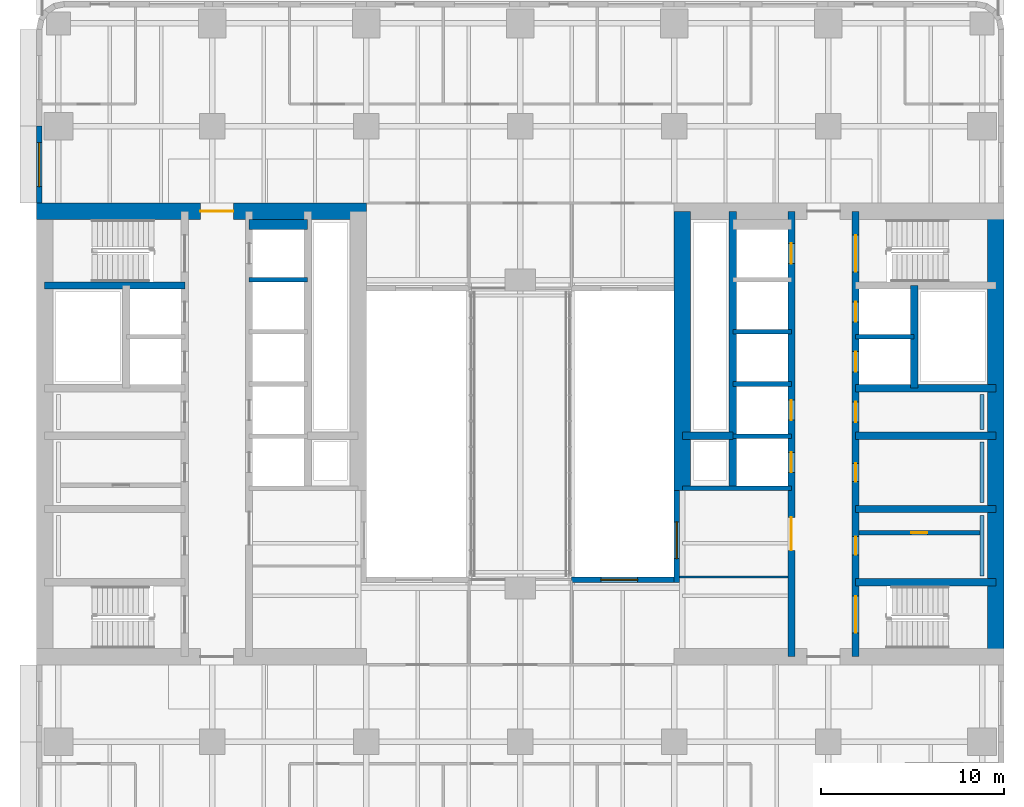
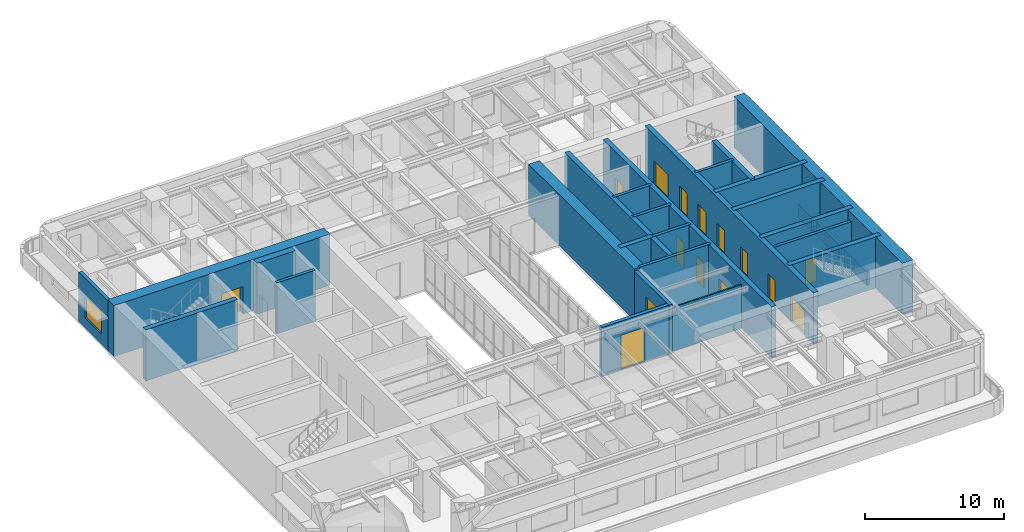
# One storey, part 10 of 17: 28 walls, 13 doors, 3 windows, 16 openings.
"""IFC4 building model written with IfcOpenShell, lengths in metres."""

from ifc_helpers import new_model, si_unit, direction, frame, frame_2d, origin, place, context, subcontext, project, spatial, rectangle, extrude, material, layer, layer_set, type_object, element, fill, save


model = new_model("IFC4")

# Units and contexts
model_context = context("Model", 3, precision=1e-05, world=origin(), true_north=direction((0.0, 1.0)))
body_context = subcontext(model_context, "Body", "Model", "MODEL_VIEW")
ifc_project = project(units=[si_unit("LENGTHUNIT", "METRE"), si_unit("AREAUNIT", "SQUARE_METRE"), si_unit("VOLUMEUNIT", "CUBIC_METRE"), si_unit("PLANEANGLEUNIT", "RADIAN"), si_unit("MASSUNIT", "GRAM", prefix="KILO")], contexts=[model_context])

# Site, building, storey
site_placement = place(None, origin())
site = spatial("IfcSite", under=ifc_project, at=site_placement, CompositionType="ELEMENT")
building_placement = place(site_placement, origin())
building = spatial("IfcBuilding", under=site, at=building_placement, Name="Claustro Exchange Tower", CompositionType="ELEMENT")
storey_placement = place(building_placement, frame((0.0, 0.0, 96.300048828125)))
storey = spatial("IfcBuildingStorey", under=building, at=storey_placement, Name="L21", CompositionType="ELEMENT", Elevation=96.300048828125)

# Wall
ifc_material_1 = material(Name="Laminated glass in aluminium frame", Category="aluminium")
ifc_layer_1 = layer(ifc_material_1, 0.1201171875)
ifc_layer_set_1 = layer_set([ifc_layer_1], Name="Laminated glass in aluminium frame")
wall_type_1 = type_object("IfcWallType", Name="P2 120 glazed partition", PredefinedType="PARTITIONING", material=ifc_layer_set_1)
wall_1_placement = place(storey_placement, frame((33.89794921875, 17.39990234375, 0.0), z_axis=(0.0, 0.0, 1.0), x_axis=(1.0, 0.0, 0.0)))
element("IfcWall", 1, at=wall_1_placement, inside=storey, type_object=wall_type_1, Name="Partition P2 L21", PredefinedType="PARTITIONING", context=body_context, shape_type="SweptSolid", body=[
    extrude(rectangle(XDim=5.904052734375, YDim=0.1201171875, at=frame_2d((2.9521484375, 0.0))), origin(), (0.0, 0.0, 1.0), 3.849853515625),
])

# Wall, opening, door
ifc_material_2 = material(Name="Concrete blockwork, rendered", Category="masonry")
ifc_layer_2 = layer(ifc_material_2, 0.25)
ifc_layer_set_2 = layer_set([ifc_layer_2], Name="Concrete blockwork, rendered")
wall_type_2 = type_object("IfcWallType", Name="P4 250 blockwork wall", PredefinedType="PARTITIONING", material=ifc_layer_set_2)
wall_2_placement = place(storey_placement, frame((43.699951171875, 19.800048828125, 0.0), z_axis=(0.0, 0.0, 1.0), x_axis=(1.0, 0.0, 0.0)))
wall_2 = element("IfcWall", 2, at=wall_2_placement, inside=storey, type_object=wall_type_2, Name="Partition P4 L21", PredefinedType="PARTITIONING", context=body_context, shape_type="SweptSolid", body=[
    extrude(rectangle(XDim=6.60009765625, YDim=0.25, at=frame_2d((3.300048828125, 0.0))), origin(), (0.0, 0.0, 1.0), 4.300048828125),
])
opening_1_placement = place(wall_2_placement, frame((2.824951171875, 0.0, 0.0)))
opening_1 = element("IfcOpeningElement", 3, at=opening_1_placement, cuts=wall_2, Name="Opening D5", PredefinedType="OPENING", context=body_context, shape_type="SweptSolid", body=[
    extrude(rectangle(XDim=0.89990234375, YDim=2.199951171875, at=frame_2d((0.449951171875, 1.10009765625))), frame((0.0, 0.135009765625, 0.0), z_axis=(0.0, -1.0, 0.0), x_axis=(1.0, 0.0, 0.0)), (0.0, 0.0, 1.0), 0.27001953125),
])
ifc_material_3 = material(Name="Steel door, painted", Category="steel")
door_type_1 = type_object("IfcDoorType", Name="D5 900 x 2200 store door", OperationType="SINGLE_SWING_LEFT", PredefinedType="DOOR", material=ifc_material_3)
door_1_placement = place(opening_1_placement, origin())
door_1 = element("IfcDoor", 4, at=door_1_placement, inside=storey, type_object=door_type_1, Name="Store door D5 L21", OperationType="SINGLE_SWING_RIGHT", OverallHeight=2.199951171875, OverallWidth=0.89990234375, PredefinedType="DOOR", context=body_context, shape_type="SweptSolid", body=[
    extrude(rectangle(XDim=0.89990234375, YDim=2.199951171875, at=frame_2d((0.449951171875, 1.10009765625))), frame((0.0, 0.02490234375, 0.0), z_axis=(0.0, -1.0, 0.0), x_axis=(1.0, 0.0, 0.0)), (0.0, 0.0, 1.0), 0.050048828125),
])
fill(opening_1, door_1)

# Wall, opening, window
ifc_material_4 = material(Name="Concrete HA-40 (C40/50), precast, white cement, acid-etched", Category="concrete")
ifc_layer_3 = layer(ifc_material_4, 0.300048828125)
ifc_layer_set_3 = layer_set([ifc_layer_3], Name="Concrete HA-40 (C40/50), precast, white cement, acid-etched")
wall_type_3 = type_object("IfcWallType", Name="PC1 300 precast concrete pier panel", PredefinedType="SOLIDWALL", material=ifc_layer_set_3)
wall_3_placement = place(storey_placement, frame((-1.050048828125, 37.800048828125, 0.0), z_axis=(0.0, 0.0, 1.0), x_axis=(0.0, 1.0, 0.0)))
wall_3 = element("IfcWall", 5, at=wall_3_placement, inside=storey, type_object=wall_type_3, Name="Precast pier panel PC1 L21", PredefinedType="SOLIDWALL", context=body_context, shape_type="SweptSolid", body=[
    extrude(rectangle(XDim=4.199951171875, YDim=0.300048828125, at=frame_2d((2.10009765625, 0.0))), origin(), (0.0, 0.0, 1.0), 4.349853515625),
])
opening_2_placement = place(wall_3_placement, frame((0.89990234375, 0.0, 0.89990234375)))
opening_2 = element("IfcOpeningElement", 6, at=opening_2_placement, cuts=wall_3, Name="Opening W2", PredefinedType="OPENING", context=body_context, shape_type="SweptSolid", body=[
    extrude(rectangle(XDim=2.39990234375, YDim=1.89990234375, at=frame_2d((1.199951171875, 0.949951171875))), frame((0.0, 0.159912109375, 0.0), z_axis=(0.0, -1.0, 0.0), x_axis=(1.0, 0.0, 0.0)), (0.0, 0.0, 1.0), 0.320068359375),
])
ifc_material_5 = material(Name="Aluminium frame, clear double glazing", Category="aluminium")
window_type_1 = type_object("IfcWindowType", Name="W2 2400 x 1900 window", PartitioningType="SINGLE_PANEL", PredefinedType="WINDOW", material=ifc_material_5)
window_1_placement = place(opening_2_placement, origin())
window_1 = element("IfcWindow", 7, at=window_1_placement, inside=storey, type_object=window_type_1, Name="Window W2 L21", OverallHeight=1.89990234375, OverallWidth=2.39990234375, PartitioningType="SINGLE_PANEL", PredefinedType="WINDOW", context=body_context, shape_type="SweptSolid", body=[
    extrude(rectangle(XDim=2.39990234375, YDim=1.89990234375, at=frame_2d((1.199951171875, 0.949951171875))), frame((0.0, 0.030029296875, 0.0), z_axis=(0.0, -1.0, 0.0), x_axis=(1.0, 0.0, 0.0)), (0.0, 0.0, 1.0), 0.06005859375),
])
fill(opening_2, window_1)

wall_4_placement = place(storey_placement, frame((33.75, 17.10009765625, 0.0), z_axis=(0.0, 0.0, 1.0), x_axis=(0.0, 1.0, 0.0)))
wall_4 = element("IfcWall", 8, at=wall_4_placement, inside=storey, type_object=wall_type_3, Name="Precast pier panel PC1 L21", PredefinedType="SOLIDWALL", context=body_context, shape_type="SweptSolid", body=[
    extrude(rectangle(XDim=5.0, YDim=0.300048828125, at=frame_2d((2.5, 0.0))), origin(), (0.0, 0.0, 1.0), 4.349853515625),
])
opening_3_placement = place(wall_4_placement, frame((1.300048828125, 0.0, 0.10009765625)))
opening_3 = element("IfcOpeningElement", 9, at=opening_3_placement, cuts=wall_4, Name="Opening W-A", PredefinedType="OPENING", context=body_context, shape_type="SweptSolid", body=[
    extrude(rectangle(XDim=2.0, YDim=3.0, at=frame_2d((1.0, 1.5))), frame((0.0, 0.159912109375, 0.0), z_axis=(0.0, -1.0, 0.0), x_axis=(1.0, 0.0, 0.0)), (0.0, 0.0, 1.0), 0.320068359375),
])
ifc_material_6 = material(Name="Aluminium frame, clear double glazing", Category="aluminium")
window_type_2 = type_object("IfcWindowType", Name="W-A 2000 x 3000 arcade window", PartitioningType="SINGLE_PANEL", PredefinedType="WINDOW", material=ifc_material_6)
window_2_placement = place(opening_3_placement, origin())
window_2 = element("IfcWindow", 10, at=window_2_placement, inside=storey, type_object=window_type_2, Name="Window W-A L21", OverallHeight=3.0, OverallWidth=2.0, PartitioningType="SINGLE_PANEL", PredefinedType="WINDOW", context=body_context, shape_type="SweptSolid", body=[
    extrude(rectangle(XDim=2.0, YDim=3.0, at=frame_2d((1.0, 1.5))), frame((0.0, 0.030029296875, 0.0), z_axis=(0.0, -1.0, 0.0), x_axis=(1.0, 0.0, 0.0)), (0.0, 0.0, 1.0), 0.06005859375),
])
fill(opening_3, window_2)

wall_5_placement = place(storey_placement, frame((28.0, 17.25, 0.0), z_axis=(0.0, 0.0, 1.0), x_axis=(1.0, 0.0, 0.0)))
wall_5 = element("IfcWall", 11, at=wall_5_placement, inside=storey, type_object=wall_type_3, Name="Precast pier panel PC1 L21", PredefinedType="SOLIDWALL", context=body_context, shape_type="SweptSolid", body=[
    extrude(rectangle(XDim=5.60009765625, YDim=0.300048828125, at=frame_2d((2.800048828125, 0.0))), origin(), (0.0, 0.0, 1.0), 4.349853515625),
])
opening_4_placement = place(wall_5_placement, frame((1.60009765625, 0.0, 0.10009765625)))
opening_4 = element("IfcOpeningElement", 12, at=opening_4_placement, cuts=wall_5, Name="Opening W-A", PredefinedType="OPENING", context=body_context, shape_type="SweptSolid", body=[
    extrude(rectangle(XDim=2.0, YDim=3.0, at=frame_2d((1.0, 1.5))), frame((0.0, 0.159912109375, 0.0), z_axis=(0.0, -1.0, 0.0), x_axis=(1.0, 0.0, 0.0)), (0.0, 0.0, 1.0), 0.320068359375),
])
window_3_placement = place(opening_4_placement, origin())
window_3 = element("IfcWindow", 13, at=window_3_placement, inside=storey, type_object=window_type_2, Name="Window W-A L21", OverallHeight=3.0, OverallWidth=2.0, PartitioningType="SINGLE_PANEL", PredefinedType="WINDOW", context=body_context, shape_type="SweptSolid", body=[
    extrude(rectangle(XDim=2.0, YDim=3.0, at=frame_2d((1.0, 1.5))), frame((0.0, 0.030029296875, 0.0), z_axis=(0.0, -1.0, 0.0), x_axis=(1.0, 0.0, 0.0)), (0.0, 0.0, 1.0), 0.06005859375),
])
fill(opening_4, window_3)

# Walls
ifc_material_7 = material(Name="Gypsum board on steel studs, tiled", Category="steel")
ifc_layer_4 = layer(ifc_material_7, 0.199951171875)
ifc_layer_set_4 = layer_set([ifc_layer_4], Name="Gypsum board on steel studs, tiled")
wall_type_4 = type_object("IfcWallType", Name="PW1 200 WC duct wall", PredefinedType="PLUMBINGWALL", material=ifc_layer_set_4)
for number, where, z_axis, x_axis, name in (
    (14, (50.39990234375, 17.449951171875, 0.0), (0.0, 0.0, 1.0), (0.0, 1.0, 0.0), "WC duct wall PW1 L21"),
    (15, (50.39990234375, 21.449951171875, 0.0), (0.0, 0.0, 1.0), (0.0, 1.0, 0.0), "WC duct wall PW1 L21"),
):
    element("IfcWall", number, at=place(storey_placement, frame(where, z_axis=z_axis, x_axis=x_axis)), inside=storey, type_object=wall_type_4, Name=name, PredefinedType="PLUMBINGWALL", context=body_context, shape_type="SweptSolid", body=[
        extrude(rectangle(XDim=3.300048828125, YDim=0.199951171875, at=frame_2d((1.64990234375, 0.0))), origin(), (0.0, 0.0, 1.0), 1.199951171875),
    ])
wall_6_placement = place(storey_placement, frame((50.39990234375, 25.449951171875, 0.0), z_axis=(0.0, 0.0, 1.0), x_axis=(0.0, 1.0, 0.0)))
element("IfcWall", 16, at=wall_6_placement, inside=storey, type_object=wall_type_4, Name="WC duct wall PW1 L21", PredefinedType="PLUMBINGWALL", context=body_context, shape_type="SweptSolid", body=[
    extrude(rectangle(XDim=1.900146484375, YDim=0.199951171875, at=frame_2d((0.9501953125, 0.0))), origin(), (0.0, 0.0, 1.0), 1.199951171875),
])

# Wall, opening, door
ifc_material_8 = material(Name="Concrete HA-70 (C70/85)", Category="concrete")
ifc_layer_5 = layer(ifc_material_8, 0.89990234375)
ifc_layer_set_5 = layer_set([ifc_layer_5], Name="Concrete HA-70 (C70/85)")
wall_type_5 = type_object("IfcWallType", Name="SW1 900 core shear wall", PredefinedType="SHEAR", material=ifc_layer_set_5)
wall_7_placement = place(storey_placement, frame((-1.199951171875, 37.35009765625, 0.0), z_axis=(0.0, 0.0, 1.0), x_axis=(1.0, 0.0, 0.0)))
wall_7 = element("IfcWall", 17, at=wall_7_placement, inside=storey, type_object=wall_type_5, Name="Core wall SW1 W core N face L21", PredefinedType="SHEAR", context=body_context, shape_type="SweptSolid", body=[
    extrude(rectangle(XDim=18.0, YDim=0.89990234375, at=frame_2d((9.0, 0.0))), origin(), (0.0, 0.0, 1.0), 4.5),
])
opening_5_placement = place(wall_7_placement, frame((8.949951171875, 0.0, 0.0)))
opening_5 = element("IfcOpeningElement", 18, at=opening_5_placement, cuts=wall_7, Name="Opening D3", PredefinedType="OPENING", context=body_context, shape_type="SweptSolid", body=[
    extrude(rectangle(XDim=1.800048828125, YDim=2.39990234375, at=frame_2d((0.89990234375, 1.199951171875))), frame((0.0, 0.4599609375, 0.0), z_axis=(0.0, -1.0, 0.0), x_axis=(1.0, 0.0, 0.0)), (0.0, 0.0, 1.0), 0.919921875),
])
ifc_material_9 = material(Name="Steel fire door, painted", Category="steel")
door_type_2 = type_object("IfcDoorType", Name="D3 1800 x 2400 fire-rated lobby double door", OperationType="DOUBLE_DOOR_SINGLE_SWING", PredefinedType="DOOR", material=ifc_material_9)
door_2_placement = place(opening_5_placement, frame((1.800048828125, 0.0, 0.0), z_axis=(0.0, 0.0, 1.0), x_axis=(-1.0, 0.0, 0.0)))
door_2 = element("IfcDoor", 19, at=door_2_placement, inside=storey, type_object=door_type_2, Name="Lift lobby door D3 L21", OperationType="DOUBLE_DOOR_SINGLE_SWING", OverallHeight=2.39990234375, OverallWidth=1.800048828125, PredefinedType="DOOR", context=body_context, shape_type="SweptSolid", body=[
    extrude(rectangle(XDim=1.800048828125, YDim=2.39990234375, at=frame_2d((0.89990234375, 1.199951171875))), frame((0.0, 0.02490234375, 0.0), z_axis=(0.0, -1.0, 0.0), x_axis=(1.0, 0.0, 0.0)), (0.0, 0.0, 1.0), 0.050048828125),
])
fill(opening_5, door_2)

# Walls
ifc_material_10 = material(Name="Concrete HA-70 (C70/85)", Category="concrete")
ifc_layer_6 = layer(ifc_material_10, 0.89990234375)
ifc_layer_set_6 = layer_set([ifc_layer_6], Name="Concrete HA-70 (C70/85)")
wall_type_6 = type_object("IfcWallType", Name="SW1X 900 exposed core shear wall, board-marked face", PredefinedType="SHEAR", material=ifc_layer_set_6)
wall_8_placement = place(storey_placement, frame((34.050048828125, 22.10009765625, 0.0), z_axis=(0.0, 0.0, 1.0), x_axis=(0.0, 1.0, 0.0)))
element("IfcWall", 20, at=wall_8_placement, inside=storey, type_object=wall_type_6, Name="Core wall SW1X E core W face L21", PredefinedType="SHEAR", context=body_context, shape_type="SweptSolid", body=[
    extrude(rectangle(XDim=15.25, YDim=0.89990234375, at=frame_2d((7.625, 0.0))), origin(), (0.0, 0.0, 1.0), 4.5),
])
wall_9_placement = place(storey_placement, frame((51.14990234375, 13.050048828125, 0.0), z_axis=(0.0, 0.0, 1.0), x_axis=(0.0, 1.0, 0.0)))
element("IfcWall", 21, at=wall_9_placement, inside=storey, type_object=wall_type_6, Name="Core wall SW1X E core E face L21", PredefinedType="SHEAR", context=body_context, shape_type="SweptSolid", body=[
    extrude(rectangle(XDim=24.300048828125, YDim=0.89990234375, at=frame_2d((12.14990234375, 0.0))), origin(), (0.0, 0.0, 1.0), 4.5),
])
ifc_material_11 = material(Name="Concrete HA-50 (C50/60)", Category="concrete")
ifc_layer_7 = layer(ifc_material_11, 0.39990234375)
ifc_layer_set_7 = layer_set([ifc_layer_7], Name="Concrete HA-50 (C50/60)")
wall_type_7 = type_object("IfcWallType", Name="SW4 400 internal core wall", PredefinedType="SHEAR", material=ifc_layer_set_7)
wall_10_placement = place(storey_placement, frame((-0.75, 33.300048828125, 0.0), z_axis=(0.0, 0.0, 1.0), x_axis=(1.0, 0.0, 0.0)))
element("IfcWall", 22, at=wall_10_placement, inside=storey, type_object=wall_type_7, Name="Internal core wall SW4 W core L21", PredefinedType="SHEAR", context=body_context, shape_type="SweptSolid", body=[
    extrude(rectangle(XDim=7.64990234375, YDim=0.39990234375, at=frame_2d((3.824951171875, 0.0))), origin(), (0.0, 0.0, 1.0), 4.5),
])

# Wall, openings, doors
wall_11_placement = place(storey_placement, frame((43.5, 13.050048828125, 0.0), z_axis=(0.0, 0.0, 1.0), x_axis=(0.0, 1.0, 0.0)))
wall_11 = element("IfcWall", 23, at=wall_11_placement, inside=storey, type_object=wall_type_7, Name="Internal core wall SW4 E core L21", PredefinedType="SHEAR", context=body_context, shape_type="SweptSolid", body=[
    extrude(rectangle(XDim=24.300048828125, YDim=0.39990234375, at=frame_2d((12.14990234375, 0.0))), origin(), (0.0, 0.0, 1.0), 4.5),
])
opening_6_placement = place(wall_11_placement, frame((1.300048828125, 0.0, 0.0)))
opening_6 = element("IfcOpeningElement", 24, at=opening_6_placement, cuts=wall_11, Name="Opening D11", PredefinedType="OPENING", context=body_context, shape_type="SweptSolid", body=[
    extrude(rectangle(XDim=2.0, YDim=2.199951171875, at=frame_2d((1.0, 1.10009765625))), frame((0.0, 0.2099609375, 0.0), z_axis=(0.0, -1.0, 0.0), x_axis=(1.0, 0.0, 0.0)), (0.0, 0.0, 1.0), 0.419921875),
])
opening_7_placement = place(wall_11_placement, frame((21.0, 0.0, 0.0)))
opening_7 = element("IfcOpeningElement", 25, at=opening_7_placement, cuts=wall_11, Name="Opening D11", PredefinedType="OPENING", context=body_context, shape_type="SweptSolid", body=[
    extrude(rectangle(XDim=2.0, YDim=2.199951171875, at=frame_2d((1.0, 1.10009765625))), frame((0.0, 0.2099609375, 0.0), z_axis=(0.0, -1.0, 0.0), x_axis=(1.0, 0.0, 0.0)), (0.0, 0.0, 1.0), 0.419921875),
])
opening_8_placement = place(wall_11_placement, frame((5.550048828125, 0.0, 0.0)))
opening_8 = element("IfcOpeningElement", 26, at=opening_8_placement, cuts=wall_11, Name="Opening D1", PredefinedType="OPENING", context=body_context, shape_type="SweptSolid", body=[
    extrude(rectangle(XDim=1.0, YDim=2.199951171875, at=frame_2d((0.5, 1.10009765625))), frame((0.0, 0.2099609375, 0.0), z_axis=(0.0, -1.0, 0.0), x_axis=(1.0, 0.0, 0.0)), (0.0, 0.0, 1.0), 0.419921875),
])
opening_9_placement = place(wall_11_placement, frame((9.550048828125, 0.0, 0.0)))
opening_9 = element("IfcOpeningElement", 27, at=opening_9_placement, cuts=wall_11, Name="Opening D1", PredefinedType="OPENING", context=body_context, shape_type="SweptSolid", body=[
    extrude(rectangle(XDim=1.0, YDim=2.199951171875, at=frame_2d((0.5, 1.10009765625))), frame((0.0, 0.2099609375, 0.0), z_axis=(0.0, -1.0, 0.0), x_axis=(1.0, 0.0, 0.0)), (0.0, 0.0, 1.0), 0.419921875),
])
opening_10_placement = place(wall_11_placement, frame((12.800048828125, 0.0, 0.0)))
opening_10 = element("IfcOpeningElement", 28, at=opening_10_placement, cuts=wall_11, Name="Opening D10", PredefinedType="OPENING", context=body_context, shape_type="SweptSolid", body=[
    extrude(rectangle(XDim=1.10009765625, YDim=2.199951171875, at=frame_2d((0.550048828125, 1.10009765625))), frame((0.0, 0.2099609375, 0.0), z_axis=(0.0, -1.0, 0.0), x_axis=(1.0, 0.0, 0.0)), (0.0, 0.0, 1.0), 0.419921875),
])
opening_11_placement = place(wall_11_placement, frame((15.53759765625, 0.0, 0.0)))
opening_11 = element("IfcOpeningElement", 29, at=opening_11_placement, cuts=wall_11, Name="Opening LD", PredefinedType="OPENING", context=body_context, shape_type="SweptSolid", body=[
    extrude(rectangle(XDim=1.10009765625, YDim=2.199951171875, at=frame_2d((0.550048828125, 1.10009765625))), frame((0.0, 0.2099609375, 0.0), z_axis=(0.0, -1.0, 0.0), x_axis=(1.0, 0.0, 0.0)), (0.0, 0.0, 1.0), 0.419921875),
])
opening_12_placement = place(wall_11_placement, frame((18.262451171875, 0.0, 0.0)))
opening_12 = element("IfcOpeningElement", 30, at=opening_12_placement, cuts=wall_11, Name="Opening LD", PredefinedType="OPENING", context=body_context, shape_type="SweptSolid", body=[
    extrude(rectangle(XDim=1.10009765625, YDim=2.199951171875, at=frame_2d((0.550048828125, 1.10009765625))), frame((0.0, 0.2099609375, 0.0), z_axis=(0.0, -1.0, 0.0), x_axis=(1.0, 0.0, 0.0)), (0.0, 0.0, 1.0), 0.419921875),
])
ifc_material_12 = material(Name="Timber door, oak veneer", Category="wood")
door_type_3 = type_object("IfcDoorType", Name="D1 1000 x 2200 single door", OperationType="SINGLE_SWING_LEFT", PredefinedType="DOOR", material=ifc_material_12)
door_3_placement = place(opening_8_placement, frame((1.0, 0.0, 0.0), z_axis=(0.0, 0.0, 1.0), x_axis=(-1.0, 0.0, 0.0)))
door_3 = element("IfcDoor", 31, at=door_3_placement, inside=storey, type_object=door_type_3, Name="Door D1 L21", OperationType="SINGLE_SWING_LEFT", OverallHeight=2.199951171875, OverallWidth=1.0, PredefinedType="DOOR", context=body_context, shape_type="SweptSolid", body=[
    extrude(rectangle(XDim=1.0, YDim=2.199951171875, at=frame_2d((0.5, 1.10009765625))), frame((0.0, 0.02490234375, 0.0), z_axis=(0.0, -1.0, 0.0), x_axis=(1.0, 0.0, 0.0)), (0.0, 0.0, 1.0), 0.050048828125),
])
fill(opening_8, door_3)
door_4_placement = place(opening_9_placement, frame((1.0, 0.0, 0.0), z_axis=(0.0, 0.0, 1.0), x_axis=(-1.0, 0.0, 0.0)))
door_4 = element("IfcDoor", 32, at=door_4_placement, inside=storey, type_object=door_type_3, Name="Door D1 L21", OperationType="SINGLE_SWING_LEFT", OverallHeight=2.199951171875, OverallWidth=1.0, PredefinedType="DOOR", context=body_context, shape_type="SweptSolid", body=[
    extrude(rectangle(XDim=1.0, YDim=2.199951171875, at=frame_2d((0.5, 1.10009765625))), frame((0.0, 0.02490234375, 0.0), z_axis=(0.0, -1.0, 0.0), x_axis=(1.0, 0.0, 0.0)), (0.0, 0.0, 1.0), 0.050048828125),
])
fill(opening_9, door_4)
ifc_material_13 = material(Name="Timber door, oak veneer", Category="wood")
door_type_4 = type_object("IfcDoorType", Name="D10 1100 x 2200 accessible WC door", OperationType="SINGLE_SWING_LEFT", PredefinedType="DOOR", material=ifc_material_13)
door_5_placement = place(opening_10_placement, origin())
door_5 = element("IfcDoor", 33, at=door_5_placement, inside=storey, type_object=door_type_4, Name="Accessible WC door D10 L21", OperationType="SINGLE_SWING_RIGHT", OverallHeight=2.199951171875, OverallWidth=1.10009765625, PredefinedType="DOOR", context=body_context, shape_type="SweptSolid", body=[
    extrude(rectangle(XDim=1.10009765625, YDim=2.199951171875, at=frame_2d((0.550048828125, 1.10009765625))), frame((0.0, 0.02490234375, 0.0), z_axis=(0.0, -1.0, 0.0), x_axis=(1.0, 0.0, 0.0)), (0.0, 0.0, 1.0), 0.050048828125),
])
fill(opening_10, door_5)
ifc_material_14 = material(Name="Steel fire door, painted", Category="steel")
door_type_5 = type_object("IfcDoorType", Name="D11 2000 x 2200 fire-rated stair double door", OperationType="DOUBLE_DOOR_SINGLE_SWING", PredefinedType="DOOR", material=ifc_material_14)
door_6_placement = place(opening_6_placement, frame((2.0, 0.0, 0.0), z_axis=(0.0, 0.0, 1.0), x_axis=(-1.0, 0.0, 0.0)))
door_6 = element("IfcDoor", 34, at=door_6_placement, inside=storey, type_object=door_type_5, Name="Stair door D11 L21", OperationType="DOUBLE_DOOR_SINGLE_SWING", OverallHeight=2.199951171875, OverallWidth=2.0, PredefinedType="DOOR", context=body_context, shape_type="SweptSolid", body=[
    extrude(rectangle(XDim=2.0, YDim=2.199951171875, at=frame_2d((1.0, 1.10009765625))), frame((0.0, 0.02490234375, 0.0), z_axis=(0.0, -1.0, 0.0), x_axis=(1.0, 0.0, 0.0)), (0.0, 0.0, 1.0), 0.050048828125),
])
fill(opening_6, door_6)
door_7_placement = place(opening_7_placement, frame((2.0, 0.0, 0.0), z_axis=(0.0, 0.0, 1.0), x_axis=(-1.0, 0.0, 0.0)))
door_7 = element("IfcDoor", 35, at=door_7_placement, inside=storey, type_object=door_type_5, Name="Stair door D11 L21", OperationType="DOUBLE_DOOR_SINGLE_SWING", OverallHeight=2.199951171875, OverallWidth=2.0, PredefinedType="DOOR", context=body_context, shape_type="SweptSolid", body=[
    extrude(rectangle(XDim=2.0, YDim=2.199951171875, at=frame_2d((1.0, 1.10009765625))), frame((0.0, 0.02490234375, 0.0), z_axis=(0.0, -1.0, 0.0), x_axis=(1.0, 0.0, 0.0)), (0.0, 0.0, 1.0), 0.050048828125),
])
fill(opening_7, door_7)
ifc_material_15 = material(Name="Stainless steel sliding door", Category="steel")
door_type_6 = type_object("IfcDoorType", Name="LD 1100 x 2200 lift landing door", OperationType="DOUBLE_DOOR_SLIDING", PredefinedType="DOOR", material=ifc_material_15)
door_8_placement = place(opening_11_placement, origin())
door_8 = element("IfcDoor", 36, at=door_8_placement, inside=storey, type_object=door_type_6, Name="Lift landing door LEE1 LD L21", OperationType="DOUBLE_DOOR_SLIDING", OverallHeight=2.199951171875, OverallWidth=1.10009765625, PredefinedType="DOOR", context=body_context, shape_type="SweptSolid", body=[
    extrude(rectangle(XDim=1.10009765625, YDim=2.199951171875, at=frame_2d((0.550048828125, 1.10009765625))), frame((0.0, 0.02490234375, 0.0), z_axis=(0.0, -1.0, 0.0), x_axis=(1.0, 0.0, 0.0)), (0.0, 0.0, 1.0), 0.050048828125),
])
fill(opening_11, door_8)
door_9_placement = place(opening_12_placement, origin())
door_9 = element("IfcDoor", 37, at=door_9_placement, inside=storey, type_object=door_type_6, Name="Lift landing door LEE2 LD L21", OperationType="DOUBLE_DOOR_SLIDING", OverallHeight=2.199951171875, OverallWidth=1.10009765625, PredefinedType="DOOR", context=body_context, shape_type="SweptSolid", body=[
    extrude(rectangle(XDim=1.10009765625, YDim=2.199951171875, at=frame_2d((0.550048828125, 1.10009765625))), frame((0.0, 0.02490234375, 0.0), z_axis=(0.0, -1.0, 0.0), x_axis=(1.0, 0.0, 0.0)), (0.0, 0.0, 1.0), 0.050048828125),
])
fill(opening_12, door_9)

wall_12_placement = place(storey_placement, frame((40.0, 13.050048828125, 0.0), z_axis=(0.0, 0.0, 1.0), x_axis=(0.0, 1.0, 0.0)))
wall_12 = element("IfcWall", 38, at=wall_12_placement, inside=storey, type_object=wall_type_7, Name="Internal core wall SW4 E core L21", PredefinedType="SHEAR", context=body_context, shape_type="SweptSolid", body=[
    extrude(rectangle(XDim=24.300048828125, YDim=0.39990234375, at=frame_2d((12.14990234375, 0.0))), origin(), (0.0, 0.0, 1.0), 4.5),
])
opening_13_placement = place(wall_12_placement, frame((10.050048828125, 0.0, 0.0)))
opening_13 = element("IfcOpeningElement", 39, at=opening_13_placement, cuts=wall_12, Name="Opening LD", PredefinedType="OPENING", context=body_context, shape_type="SweptSolid", body=[
    extrude(rectangle(XDim=1.10009765625, YDim=2.199951171875, at=frame_2d((0.550048828125, 1.10009765625))), frame((0.0, 0.2099609375, 0.0), z_axis=(0.0, -1.0, 0.0), x_axis=(1.0, 0.0, 0.0)), (0.0, 0.0, 1.0), 0.419921875),
])
opening_14_placement = place(wall_12_placement, frame((12.89990234375, 0.0, 0.0)))
opening_14 = element("IfcOpeningElement", 40, at=opening_14_placement, cuts=wall_12, Name="Opening LD", PredefinedType="OPENING", context=body_context, shape_type="SweptSolid", body=[
    extrude(rectangle(XDim=1.10009765625, YDim=2.199951171875, at=frame_2d((0.550048828125, 1.10009765625))), frame((0.0, 0.2099609375, 0.0), z_axis=(0.0, -1.0, 0.0), x_axis=(1.0, 0.0, 0.0)), (0.0, 0.0, 1.0), 0.419921875),
])
opening_15_placement = place(wall_12_placement, frame((21.449951171875, 0.0, 0.0)))
opening_15 = element("IfcOpeningElement", 41, at=opening_15_placement, cuts=wall_12, Name="Opening LD", PredefinedType="OPENING", context=body_context, shape_type="SweptSolid", body=[
    extrude(rectangle(XDim=1.10009765625, YDim=2.199951171875, at=frame_2d((0.550048828125, 1.10009765625))), frame((0.0, 0.2099609375, 0.0), z_axis=(0.0, -1.0, 0.0), x_axis=(1.0, 0.0, 0.0)), (0.0, 0.0, 1.0), 0.419921875),
])
opening_16_placement = place(wall_12_placement, frame((5.800048828125, 0.0, 0.0)))
opening_16 = element("IfcOpeningElement", 42, at=opening_16_placement, cuts=wall_12, Name="Opening D3", PredefinedType="OPENING", context=body_context, shape_type="SweptSolid", body=[
    extrude(rectangle(XDim=1.800048828125, YDim=2.39990234375, at=frame_2d((0.89990234375, 1.199951171875))), frame((0.0, 0.2099609375, 0.0), z_axis=(0.0, -1.0, 0.0), x_axis=(1.0, 0.0, 0.0)), (0.0, 0.0, 1.0), 0.419921875),
])
door_10_placement = place(opening_16_placement, origin())
door_10 = element("IfcDoor", 43, at=door_10_placement, inside=storey, type_object=door_type_2, Name="Core zone door D3 L21", OperationType="DOUBLE_DOOR_SINGLE_SWING", OverallHeight=2.39990234375, OverallWidth=1.800048828125, PredefinedType="DOOR", context=body_context, shape_type="SweptSolid", body=[
    extrude(rectangle(XDim=1.800048828125, YDim=2.39990234375, at=frame_2d((0.89990234375, 1.199951171875))), frame((0.0, 0.02490234375, 0.0), z_axis=(0.0, -1.0, 0.0), x_axis=(1.0, 0.0, 0.0)), (0.0, 0.0, 1.0), 0.050048828125),
])
fill(opening_16, door_10)
door_11_placement = place(opening_13_placement, origin())
door_11 = element("IfcDoor", 44, at=door_11_placement, inside=storey, type_object=door_type_6, Name="Lift landing door LME1 LD L21", OperationType="DOUBLE_DOOR_SLIDING", OverallHeight=2.199951171875, OverallWidth=1.10009765625, PredefinedType="DOOR", context=body_context, shape_type="SweptSolid", body=[
    extrude(rectangle(XDim=1.10009765625, YDim=2.199951171875, at=frame_2d((0.550048828125, 1.10009765625))), frame((0.0, 0.02490234375, 0.0), z_axis=(0.0, -1.0, 0.0), x_axis=(1.0, 0.0, 0.0)), (0.0, 0.0, 1.0), 0.050048828125),
])
fill(opening_13, door_11)
door_12_placement = place(opening_14_placement, origin())
door_12 = element("IfcDoor", 45, at=door_12_placement, inside=storey, type_object=door_type_6, Name="Lift landing door LME2 LD L21", OperationType="DOUBLE_DOOR_SLIDING", OverallHeight=2.199951171875, OverallWidth=1.10009765625, PredefinedType="DOOR", context=body_context, shape_type="SweptSolid", body=[
    extrude(rectangle(XDim=1.10009765625, YDim=2.199951171875, at=frame_2d((0.550048828125, 1.10009765625))), frame((0.0, 0.02490234375, 0.0), z_axis=(0.0, -1.0, 0.0), x_axis=(1.0, 0.0, 0.0)), (0.0, 0.0, 1.0), 0.050048828125),
])
fill(opening_14, door_12)
door_13_placement = place(opening_15_placement, origin())
door_13 = element("IfcDoor", 46, at=door_13_placement, inside=storey, type_object=door_type_6, Name="Lift landing door LSE1 LD L21", OperationType="DOUBLE_DOOR_SLIDING", OverallHeight=2.199951171875, OverallWidth=1.10009765625, PredefinedType="DOOR", context=body_context, shape_type="SweptSolid", body=[
    extrude(rectangle(XDim=1.10009765625, YDim=2.199951171875, at=frame_2d((0.550048828125, 1.10009765625))), frame((0.0, 0.02490234375, 0.0), z_axis=(0.0, -1.0, 0.0), x_axis=(1.0, 0.0, 0.0)), (0.0, 0.0, 1.0), 0.050048828125),
])
fill(opening_15, door_13)

# Walls
wall_13_placement = place(storey_placement, frame((36.800048828125, 22.22509765625, 0.0), z_axis=(0.0, 0.0, 1.0), x_axis=(0.0, 1.0, 0.0)))
element("IfcWall", 47, at=wall_13_placement, inside=storey, type_object=wall_type_7, Name="Internal core wall SW4 E core L21", PredefinedType="SHEAR", context=body_context, shape_type="SweptSolid", body=[
    extrude(rectangle(XDim=15.125, YDim=0.39990234375, at=frame_2d((7.5625, 0.0))), origin(), (0.0, 0.0, 1.0), 4.5),
])
for number, where, z_axis, x_axis, name in (
    (48, (51.14990234375, 17.10009765625, 0.0), (0.0, 0.0, 1.0), (-1.0, 0.0, 0.0), "Internal core wall SW4 E core L21"),
    (49, (51.14990234375, 21.10009765625, 0.0), (0.0, 0.0, 1.0), (-1.0, 0.0, 0.0), "Internal core wall SW4 E core L21"),
    (50, (51.14990234375, 25.10009765625, 0.0), (0.0, 0.0, 1.0), (-1.0, 0.0, 0.0), "Internal core wall SW4 E core L21"),
    (51, (51.14990234375, 27.699951171875, 0.0), (0.0, 0.0, 1.0), (-1.0, 0.0, 0.0), "Internal core wall SW4 E core L21"),
):
    element("IfcWall", number, at=place(storey_placement, frame(where, z_axis=z_axis, x_axis=x_axis)), inside=storey, type_object=wall_type_7, Name=name, PredefinedType="SHEAR", context=body_context, shape_type="SweptSolid", body=[
        extrude(rectangle(XDim=7.64990234375, YDim=0.39990234375, at=frame_2d((3.824951171875, 0.0))), origin(), (0.0, 0.0, 1.0), 4.5),
    ])
wall_14_placement = place(storey_placement, frame((46.699951171875, 27.699951171875, 0.0), z_axis=(0.0, 0.0, 1.0), x_axis=(0.0, 1.0, 0.0)))
element("IfcWall", 52, at=wall_14_placement, inside=storey, type_object=wall_type_7, Name="Internal core wall SW4 E core L21", PredefinedType="SHEAR", context=body_context, shape_type="SweptSolid", body=[
    extrude(rectangle(XDim=5.60009765625, YDim=0.39990234375, at=frame_2d((2.800048828125, 0.0))), origin(), (0.0, 0.0, 1.0), 4.5),
])
wall_15_placement = place(storey_placement, frame((36.800048828125, 25.10009765625, 0.0), z_axis=(0.0, 0.0, 1.0), x_axis=(-1.0, 0.0, 0.0)))
element("IfcWall", 53, at=wall_15_placement, inside=storey, type_object=wall_type_7, Name="Internal core wall SW4 E core L21", PredefinedType="SHEAR", context=body_context, shape_type="SweptSolid", body=[
    extrude(rectangle(XDim=2.75, YDim=0.39990234375, at=frame_2d((1.375, 0.0))), origin(), (0.0, 0.0, 1.0), 4.5),
])
ifc_material_16 = material(Name="Concrete HA-50 (C50/60)", Category="concrete")
ifc_layer_8 = layer(ifc_material_16, 0.25)
ifc_layer_set_8 = layer_set([ifc_layer_8], Name="Concrete HA-50 (C50/60)")
wall_type_8 = type_object("IfcWallType", Name="SW5 250 lift shaft divider wall", PredefinedType="SHEAR", material=ifc_layer_set_8)
wall_16_placement = place(storey_placement, frame((10.39990234375, 33.625, 0.0), z_axis=(0.0, 0.0, 1.0), x_axis=(1.0, 0.0, 0.0)))
element("IfcWall", 54, at=wall_16_placement, inside=storey, type_object=wall_type_8, Name="Lift shaft wall W core L21", PredefinedType="SHEAR", context=body_context, shape_type="SweptSolid", body=[
    extrude(rectangle(XDim=3.2001953125, YDim=0.25, at=frame_2d((1.60009765625, 0.0))), origin(), (0.0, 0.0, 1.0), 4.5),
])
wall_17_placement = place(storey_placement, frame((46.699951171875, 30.5, 0.0), z_axis=(0.0, 0.0, 1.0), x_axis=(-1.0, 0.0, 0.0)))
element("IfcWall", 55, at=wall_17_placement, inside=storey, type_object=wall_type_8, Name="Lift shaft wall E core L21", PredefinedType="SHEAR", context=body_context, shape_type="SweptSolid", body=[
    extrude(rectangle(XDim=3.199951171875, YDim=0.25, at=frame_2d((1.60009765625, 0.0))), origin(), (0.0, 0.0, 1.0), 4.5),
])
wall_18_placement = place(storey_placement, frame((40.0, 22.22509765625, 0.0), z_axis=(0.0, 0.0, 1.0), x_axis=(-1.0, 0.0, 0.0)))
element("IfcWall", 56, at=wall_18_placement, inside=storey, type_object=wall_type_8, Name="Core step wall E core L21", PredefinedType="SHEAR", context=body_context, shape_type="SweptSolid", body=[
    extrude(rectangle(XDim=5.949951171875, YDim=0.25, at=frame_2d((2.97509765625, 0.0))), origin(), (0.0, 0.0, 1.0), 4.5),
])
for number, where, z_axis, x_axis, name in (
    (57, (40.0, 25.074951171875, 0.0), (0.0, 0.0, 1.0), (-1.0, 0.0, 0.0), "Lift shaft wall E core L21"),
    (58, (40.0, 27.925048828125, 0.0), (0.0, 0.0, 1.0), (-1.0, 0.0, 0.0), "Lift shaft wall E core L21"),
    (59, (40.0, 30.77490234375, 0.0), (0.0, 0.0, 1.0), (-1.0, 0.0, 0.0), "Lift shaft wall E core L21"),
):
    element("IfcWall", number, at=place(storey_placement, frame(where, z_axis=z_axis, x_axis=x_axis)), inside=storey, type_object=wall_type_8, Name=name, PredefinedType="SHEAR", context=body_context, shape_type="SweptSolid", body=[
        extrude(rectangle(XDim=3.199951171875, YDim=0.25, at=frame_2d((1.60009765625, 0.0))), origin(), (0.0, 0.0, 1.0), 4.5),
    ])
ifc_material_17 = material(Name="Concrete HA-50 (C50/60)", Category="concrete")
ifc_layer_9 = layer(ifc_material_17, 0.550048828125)
ifc_layer_set_9 = layer_set([ifc_layer_9], Name="Concrete HA-50 (C50/60)")
wall_type_9 = type_object("IfcWallType", Name="SW6 550 lift shaft end wall", PredefinedType="SHEAR", material=ifc_layer_set_9)
wall_19_placement = place(storey_placement, frame((10.39990234375, 36.625, 0.0), z_axis=(0.0, 0.0, 1.0), x_axis=(1.0, 0.0, 0.0)))
element("IfcWall", 60, at=wall_19_placement, inside=storey, type_object=wall_type_9, Name="Lift shaft wall W core L21", PredefinedType="SHEAR", context=body_context, shape_type="SweptSolid", body=[
    extrude(rectangle(XDim=3.2001953125, YDim=0.550048828125, at=frame_2d((1.60009765625, 0.0))), origin(), (0.0, 0.0, 1.0), 4.5),
])

save(model, "model.ifc")
